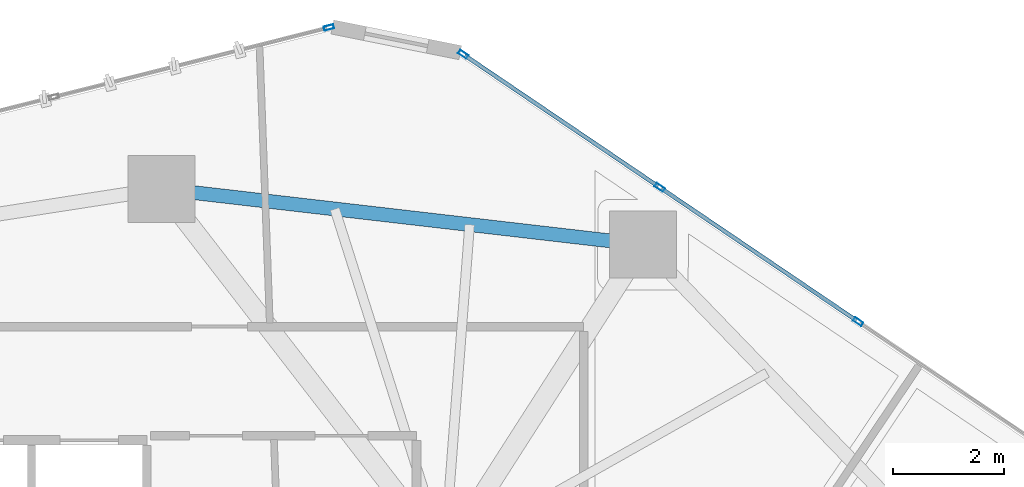
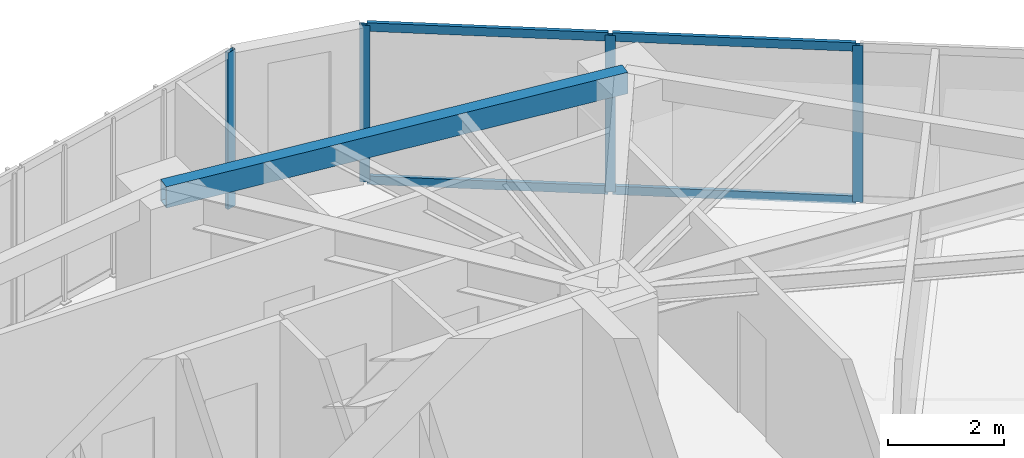
# One storey, part 14 of 20: 8 members, 1 beam, 2 elements without a shape of their own.
"""IFC4 building model written with IfcOpenShell, lengths in metres."""

import ifcopenshell
import ifcopenshell.guid

model = None  # the IFC model being written
_history = None  # IfcOwnerHistory: only IFC2X3 demands one
_inside = {}  # id of a spatial element -> (the spatial element, [elements in it])
_under = {}  # id of a project, library or spatial element -> (it, [spatial elements below it])
_declared = {}  # id of a project -> (the project, [libraries it declares])
_typed = {}  # id of a type object -> (the type object, [elements of that type])
_made_of = {}  # id of a material, layer set ... -> (it, [elements and type objects made of it])


def new_model(schema):
    """Start an empty IFC model of exactly this schema.

    Asked for "IFC4X3", IfcOpenShell would pick the latest addendum, in which some entities
    have other attributes; the version numbers below select the first issue.
    IFC2X3 requires an IfcOwnerHistory on every rooted entity: one is made here for all.
    """
    global model, _history
    if schema == "IFC4X3":
        model = ifcopenshell.file(schema_version=(4, 3, 0, 0))
    else:
        model = ifcopenshell.file(schema=schema)
    _inside.clear()
    _under.clear()
    _declared.clear()
    _typed.clear()
    _made_of.clear()
    _history = None
    if model.schema == "IFC2X3":
        org = make("IfcOrganization", Name="unknown")
        user = make(
            "IfcPersonAndOrganization",
            ThePerson=make("IfcPerson", FamilyName="unknown"),
            TheOrganization=org,
        )
        app = make(
            "IfcApplication",
            ApplicationDeveloper=org,
            Version="unknown",
            ApplicationFullName="unknown",
            ApplicationIdentifier="unknown",
        )
        _history = make(
            "IfcOwnerHistory",
            OwningUser=user,
            OwningApplication=app,
            ChangeAction="ADDED",
            CreationDate=0,
        )
    return model


def make(cls, **values):
    """One entity of the class cls with the attributes given. An attribute that is None is left unset."""
    return model.create_entity(
        cls, **{name: value for name, value in values.items() if value is not None}
    )


def rooted(cls, **values):
    """An entity with a GlobalId (a new one), such as an element, a storey or a relation."""
    return make(cls, GlobalId=ifcopenshell.guid.new(), OwnerHistory=_history, **values)


def si_unit(unit_type, name, prefix=None):
    """IfcSIUnit, for example si_unit("LENGTHUNIT", "METRE", prefix="MILLI")."""
    return make("IfcSIUnit", UnitType=unit_type, Prefix=prefix, Name=name)


def assignment(units):
    """IfcUnitAssignment: the units of a project."""
    return None if units is None else make("IfcUnitAssignment", Units=units)


def point(xyz):
    """IfcCartesianPoint."""
    return None if xyz is None else make("IfcCartesianPoint", Coordinates=xyz)


def direction(xyz):
    """IfcDirection."""
    return None if xyz is None else make("IfcDirection", DirectionRatios=xyz)


def frame(location, z_axis=None, x_axis=None):
    """IfcAxis2Placement3D, a coordinate frame: its origin and axes. An axis left out is left unset."""
    return make(
        "IfcAxis2Placement3D",
        Location=point(location),
        Axis=direction(z_axis),
        RefDirection=direction(x_axis),
    )


def frame_2d(location, x_axis=None):
    """IfcAxis2Placement2D, a coordinate frame in the plane: its origin and x axis."""
    return make(
        "IfcAxis2Placement2D", Location=point(location), RefDirection=direction(x_axis)
    )


def origin():
    """The frame at (0, 0, 0) with its axes left unset."""
    return frame((0.0, 0.0, 0.0))


def origin_2d():
    """The frame at (0, 0) in the plane with its x axis left unset."""
    return frame_2d((0.0, 0.0))


def place(relative_to, where):
    """IfcLocalPlacement: puts the frame where relative to a parent placement (None: the world)."""
    return make(
        "IfcLocalPlacement", PlacementRelTo=relative_to, RelativePlacement=where
    )


def context(
    kind, dimensions, precision=None, world=None, true_north=None, identifier=None
):
    """IfcGeometricRepresentationContext, for example the 3D "Model" context."""
    return make(
        "IfcGeometricRepresentationContext",
        ContextIdentifier=identifier,
        ContextType=kind,
        CoordinateSpaceDimension=dimensions,
        Precision=precision,
        WorldCoordinateSystem=world,
        TrueNorth=true_north,
    )


def subcontext(parent, identifier, kind, view, scale=None):
    """IfcGeometricRepresentationSubContext, for example "Body" below "Model"."""
    return make(
        "IfcGeometricRepresentationSubContext",
        ContextIdentifier=identifier,
        ContextType=kind,
        ParentContext=parent,
        TargetScale=scale,
        TargetView=view,
    )


def project(units=None, contexts=None):
    """IfcProject with its units and contexts."""
    return rooted(
        "IfcProject",
        Name="project",
        RepresentationContexts=contexts,
        UnitsInContext=assignment(units),
    )


def spatial(cls, under=None, at=None, **own):
    """A site, building, storey or space (cls), placed at a placement, below another one or the project."""
    s = rooted(cls, ObjectPlacement=at, **own)
    if under is not None:
        _under.setdefault(under.id(), (under, []))[1].append(s)
    return s


def profile(cls, at=None, kind="AREA", **sizes):
    """A parametric profile (cls). Its sizes go by their IFC names, for example OverallWidth=200.0."""
    return make(cls, ProfileType=kind, Position=at, **sizes)


def hollow_rectangle(**sizes):
    """IfcRectangleHollowProfileDef."""
    return profile("IfcRectangleHollowProfileDef", **sizes)


def extrude(swept, where, along, depth):
    """IfcExtrudedAreaSolid: the profile swept, set in the frame where, extruded along a direction by depth."""
    return make(
        "IfcExtrudedAreaSolid",
        SweptArea=swept,
        Position=where,
        ExtrudedDirection=direction(along),
        Depth=depth,
    )


def shape(context_of_items, identifier, shape_type, items):
    """IfcShapeRepresentation: the items that make up one representation, for example the "Body"."""
    return make(
        "IfcShapeRepresentation",
        ContextOfItems=context_of_items,
        RepresentationIdentifier=identifier,
        RepresentationType=shape_type,
        Items=items,
    )


def source(mapping_origin, context_of_items, identifier, shape_type, items):
    """IfcRepresentationMap: a shape defined once, which mapped items show again and again."""
    return make(
        "IfcRepresentationMap",
        MappingOrigin=mapping_origin,
        MappedRepresentation=shape(context_of_items, identifier, shape_type, items),
    )


def transform(
    local_origin,
    x_axis=None,
    y_axis=None,
    z_axis=None,
    scale=None,
    scale2=None,
    scale3=None,
    uniform=True,
):
    """IfcCartesianTransformationOperator3D, or its non-uniform kind. x_axis, y_axis, z_axis: its Axis1, 2, 3."""
    if uniform:
        return make(
            "IfcCartesianTransformationOperator3D",
            Axis1=direction(x_axis),
            Axis2=direction(y_axis),
            LocalOrigin=point(local_origin),
            Scale=scale,
            Axis3=direction(z_axis),
        )
    return make(
        "IfcCartesianTransformationOperator3DnonUniform",
        Axis1=direction(x_axis),
        Axis2=direction(y_axis),
        LocalOrigin=point(local_origin),
        Scale=scale,
        Axis3=direction(z_axis),
        Scale2=scale2,
        Scale3=scale3,
    )


def mapped(mapping_source, mapping_target):
    """IfcMappedItem: shows the shape of a source again, moved by a transform."""
    return make(
        "IfcMappedItem", MappingSource=mapping_source, MappingTarget=mapping_target
    )


def material(Name=None, Category=None):
    """IfcMaterial."""
    return make("IfcMaterial", Name=Name, Category=Category)


def layer(
    of_material, thickness, ventilated=None, Name=None, Category=None, Priority=None
):
    """IfcMaterialLayer: one layer of a wall or slab, of a material (None: an air gap)."""
    return make(
        "IfcMaterialLayer",
        Material=of_material,
        LayerThickness=thickness,
        IsVentilated=ventilated,
        Name=Name,
        Category=Category,
        Priority=Priority,
    )


def layer_set(layers, Name=None):
    """IfcMaterialLayerSet."""
    return make("IfcMaterialLayerSet", MaterialLayers=layers, LayerSetName=Name)


def material_profile(
    of_material, cross_section, Name=None, Category=None, Priority=None
):
    """IfcMaterialProfile: a cross section and its material."""
    return make(
        "IfcMaterialProfile",
        Name=Name,
        Material=of_material,
        Profile=cross_section,
        Priority=Priority,
        Category=Category,
    )


def profile_set(profiles, Name=None, composite=None):
    """IfcMaterialProfileSet."""
    return make(
        "IfcMaterialProfileSet",
        Name=Name,
        MaterialProfiles=profiles,
        CompositeProfile=composite,
    )


def made_of(thing, what):
    """Note that an element or type object is made of a material, layer set ...; save() writes the relation."""
    if what is not None:
        _made_of.setdefault(what.id(), (what, []))[1].append(thing)
    return thing


def type_object(cls, material=None, **own):
    """A type object (cls), such as IfcWallType, which elements share."""
    return made_of(rooted(cls, **own), material)


def type_shapes(of_type, sources):
    """Give a type object the sources (RepresentationMaps) that its elements show as mapped items."""
    of_type.RepresentationMaps = sources


def element(
    cls,
    number,
    at=None,
    inside=None,
    cuts=None,
    type_object=None,
    material=None,
    context=None,
    identifier="Body",
    shape_type=None,
    held_by="IfcProductDefinitionShape",
    body=None,
    shapes=None,
    **own,
):
    """One element of the class cls, such as IfcWall. Its Tag is "e" and its number.

    at: its placement. inside: the storey or other place that contains it. cuts: it is an
    opening in that element (IfcRelVoidsElement). A single representation is given by context,
    identifier, shape_type and body (its items); several are given by shapes. held_by: the class
    of the entity that holds the representations. save() writes the other relations.
    """
    e = rooted(cls, Tag="e%d" % number, ObjectPlacement=at, **own)
    if body is not None:
        shapes = [shape(context, identifier, shape_type, body)]
    if shapes is not None:
        e.Representation = make(held_by, Representations=shapes)
    if inside is not None:
        _inside.setdefault(inside.id(), (inside, []))[1].append(e)
    if cuts is not None:
        rooted(
            "IfcRelVoidsElement", RelatingBuildingElement=cuts, RelatedOpeningElement=e
        )
    if type_object is not None:
        _typed.setdefault(type_object.id(), (type_object, []))[1].append(e)
    return made_of(e, material)


def aggregate(whole, parts):
    """IfcRelAggregates: a whole, such as a stair, and the parts it consists of."""
    return rooted("IfcRelAggregates", RelatingObject=whole, RelatedObjects=parts)


def save(model, path):
    """Write the relations noted so far, then the file.

    IfcRelAggregates (storeys below a building ...), IfcRelContainedInSpatialStructure (elements
    in a storey), IfcRelDefinesByType, IfcRelAssociatesMaterial and IfcRelDeclares: one each for
    every whole, place, type object, material and project.
    """
    for whole, parts in _under.values():
        aggregate(whole, parts)
    for where, things in _inside.values():
        rooted(
            "IfcRelContainedInSpatialStructure",
            RelatedElements=things,
            RelatingStructure=where,
        )
    for kind, things in _typed.values():
        rooted("IfcRelDefinesByType", RelatedObjects=things, RelatingType=kind)
    for what, things in _made_of.values():
        rooted("IfcRelAssociatesMaterial", RelatedObjects=things, RelatingMaterial=what)
    for by, libraries in _declared.values():
        rooted("IfcRelDeclares", RelatingContext=by, RelatedDefinitions=libraries)
    model.write(path)


model = new_model("IFC4")

# Units and contexts
model_context = context("Model", 3, precision=1e-05, world=origin(), true_north=direction((0.0, 1.0)))
body_context = subcontext(model_context, "Body", "Model", "MODEL_VIEW")
ifc_project = project(units=[si_unit("LENGTHUNIT", "METRE"), si_unit("AREAUNIT", "SQUARE_METRE"), si_unit("VOLUMEUNIT", "CUBIC_METRE"), si_unit("PLANEANGLEUNIT", "RADIAN"), si_unit("MASSUNIT", "GRAM", prefix="KILO")], contexts=[model_context])

# Site, building, storey
site_placement = place(None, origin())
site = spatial("IfcSite", under=ifc_project, at=site_placement, CompositionType="ELEMENT")
building_placement = place(site_placement, origin())
building = spatial("IfcBuilding", under=site, at=building_placement, Name="Talar Marvaseh", CompositionType="ELEMENT")
storey_placement = place(building_placement, frame((0.0, 0.0, 132.60009765625)))
storey = spatial("IfcBuildingStorey", under=building, at=storey_placement, Name="L34", CompositionType="ELEMENT", Elevation=132.60009765625)

# Beam
ifc_material_1 = material(Name="Steel S355", Category="steel")
ifc_material_profile_1 = material_profile(ifc_material_1, hollow_rectangle(XDim=0.25, YDim=0.449951171875, WallThickness=0.01611328125, at=origin_2d()), Name="RHS450x250x16")
ifc_profile_set_1 = profile_set([ifc_material_profile_1], Name="Steel S355")
beam_type = type_object("IfcBeamType", Name="Zone 2 Perimeter Spandrel Beam RHS450x250x16", PredefinedType="SPANDREL", material=ifc_profile_set_1)
beam_placement = place(storey_placement, frame((28.221923828125, 43.471923828125, 3.0849609375), z_axis=(0.993361914569, -0.115030894474, 0.0), x_axis=(0.115030894474, 0.993361914569, 0.0)))
element("IfcBeam", 1, at=beam_placement, inside=storey, type_object=beam_type, Name="L34 Zone 2 Perimeter Spandrel Beam RHS450x250x16", PredefinedType="SPANDREL", context=body_context, shape_type="SweptSolid", body=[
    extrude(hollow_rectangle(XDim=0.25, YDim=0.449951171875, WallThickness=0.01611328125, at=origin_2d()), origin(), (0.0, 0.0, 1.0), 8.701904296875),
])

# Curtain wall, members
ifc_material_2 = material(Name="Architectural Aluminium", Category="aluminium")
ifc_layer = layer(ifc_material_2, 0.199951171875)
ifc_layer_set = layer_set([ifc_layer], Name="Architectural Aluminium")
curtain_wall_type = type_object("IfcCurtainWallType", Name="Unitised Acoustic Library Curtain Wall Z2", PredefinedType="NOTDEFINED", material=ifc_layer_set)
curtain_wall_1_placement = place(storey_placement, origin())
curtain_wall_1 = element("IfcCurtainWall", 2, at=curtain_wall_1_placement, inside=storey, type_object=curtain_wall_type, Name="L34 Unitised Acoustic Library Curtain Wall Z2", PredefinedType="NOTDEFINED")
ifc_material_profile_2 = material_profile(ifc_material_2, hollow_rectangle(XDim=0.074951171875, YDim=0.179931640625, WallThickness=0.0048828125, at=origin_2d()), Name="RHS180x75x5")
ifc_profile_set_2 = profile_set([ifc_material_profile_2], Name="Architectural Aluminium")
member_type_1 = type_object("IfcMemberType", Name="Unitised Curtain Wall Transom RHS180x75x5", PredefinedType="USERDEFINED", material=ifc_profile_set_2)
shared_shape_1 = source(origin(), body_context, "Body", "SweptSolid", [
    extrude(hollow_rectangle(XDim=0.074951171875, YDim=0.179931640625, WallThickness=0.0048828125, at=origin_2d()), origin(), (0.0, 0.0, 1.0), 4.22314453125),
])
member_1_placement = place(storey_placement, frame((37.197509765625, 43.476806640625, 0.037353515625), z_axis=(0.828089240921, -0.560596297767, 0.0), x_axis=(0.560596297767, 0.828089240921, 0.0)))
member_1 = element("IfcMember", 3, at=member_1_placement, type_object=member_type_1, Name="CW-Z2 transom 2.1", ObjectType="TRANSOM", PredefinedType="USERDEFINED", context=body_context, shape_type="MappedRepresentation", body=[
    mapped(shared_shape_1, transform((0.0, 0.0, 0.0), x_axis=(1.0, 0.0, 0.0), y_axis=(0.0, 1.0, 0.0), z_axis=(0.0, 0.0, 1.0), scale=1.0)),
])
member_2_placement = place(storey_placement, frame((37.197509765625, 43.476806640625, 3.2724609375), z_axis=(0.828089240921, -0.560596297767, 0.0), x_axis=(0.560596297767, 0.828089240921, 0.0)))
member_2 = element("IfcMember", 4, at=member_2_placement, type_object=member_type_1, Name="CW-Z2 transom 2.2", ObjectType="TRANSOM", PredefinedType="USERDEFINED", context=body_context, shape_type="MappedRepresentation", body=[
    mapped(shared_shape_1, transform((0.0, 0.0, 0.0), x_axis=(1.0, 0.0, 0.0), y_axis=(0.0, 1.0, 0.0), z_axis=(0.0, 0.0, 1.0), scale=1.0)),
])
shared_shape_2 = source(origin(), body_context, "Body", "SweptSolid", [
    extrude(hollow_rectangle(XDim=0.074951171875, YDim=0.179931640625, WallThickness=0.0048828125, at=origin_2d()), origin(), (0.0, 0.0, 1.0), 4.185546875),
])
type_shapes(member_type_1, [shared_shape_1, shared_shape_2])
member_3_placement = place(storey_placement, frame((33.66943359375, 45.864990234375, 0.037353515625), z_axis=(0.82811697047, -0.560555334663, 0.0), x_axis=(0.560555334663, 0.82811697047, 0.0)))
member_3 = element("IfcMember", 5, at=member_3_placement, type_object=member_type_1, Name="CW-Z2 transom 1.1", ObjectType="TRANSOM", PredefinedType="USERDEFINED", context=body_context, shape_type="MappedRepresentation", body=[
    mapped(shared_shape_2, transform((0.0, 0.0, 0.0), x_axis=(1.0, 0.0, 0.0), y_axis=(0.0, 1.0, 0.0), z_axis=(0.0, 0.0, 1.0), scale=1.0)),
])
member_4_placement = place(storey_placement, frame((33.66943359375, 45.864990234375, 3.2724609375), z_axis=(0.82811697047, -0.560555334663, 0.0), x_axis=(0.560555334663, 0.82811697047, 0.0)))
member_4 = element("IfcMember", 6, at=member_4_placement, type_object=member_type_1, Name="CW-Z2 transom 1.2", ObjectType="TRANSOM", PredefinedType="USERDEFINED", context=body_context, shape_type="MappedRepresentation", body=[
    mapped(shared_shape_2, transform((0.0, 0.0, 0.0), x_axis=(1.0, 0.0, 0.0), y_axis=(0.0, 1.0, 0.0), z_axis=(0.0, 0.0, 1.0), scale=1.0)),
])

# Curtain wall, member
curtain_wall_2_placement = place(storey_placement, origin())
curtain_wall_2 = element("IfcCurtainWall", 7, at=curtain_wall_2_placement, inside=storey, type_object=curtain_wall_type, Name="L34 Unitised Acoustic Library Curtain Wall Z2", PredefinedType="NOTDEFINED")
ifc_material_profile_3 = material_profile(ifc_material_2, hollow_rectangle(XDim=0.074951171875, YDim=0.179931640625, WallThickness=0.0048828125, at=origin_2d()), Name="RHS180x75x5")
ifc_profile_set_3 = profile_set([ifc_material_profile_3], Name="Architectural Aluminium")
member_type_2 = type_object("IfcMemberType", Name="Unitised Curtain Wall Standard Mullion RHS180x75x5", PredefinedType="MULLION", material=ifc_profile_set_3)
shared_shape_3 = source(origin(), body_context, "Body", "SweptSolid", [
    extrude(hollow_rectangle(XDim=0.074951171875, YDim=0.179931640625, WallThickness=0.0048828125, at=origin_2d()), origin(), (0.0, 0.0, 1.0), 3.309814453125),
])
type_shapes(member_type_2, [shared_shape_3])
member_5_placement = place(storey_placement, frame((31.22802734375, 46.3681640625, 0.0), z_axis=(0.0, 0.0, 1.0), x_axis=(-0.245007003451, 0.969521308822, 0.0)))
member_5 = element("IfcMember", 8, at=member_5_placement, type_object=member_type_2, Name="CW-Z2 mullion 4", PredefinedType="MULLION", context=body_context, shape_type="MappedRepresentation", body=[
    mapped(shared_shape_3, transform((0.0, 0.0, 0.0), x_axis=(1.0, 0.0, 0.0), y_axis=(0.0, 1.0, 0.0), z_axis=(0.0, 0.0, 1.0), scale=1.0)),
])
aggregate(curtain_wall_2, [member_5])

# Member
member_6_placement = place(storey_placement, frame((33.638427734375, 45.885986328125, 0.0), z_axis=(0.0, 0.0, 1.0), x_axis=(0.560583165439, 0.828098131037, 0.0)))
member_6 = element("IfcMember", 9, at=member_6_placement, type_object=member_type_2, Name="CW-Z2 mullion 1", PredefinedType="MULLION", context=body_context, shape_type="MappedRepresentation", body=[
    mapped(shared_shape_3, transform((0.0, 0.0, 0.0), x_axis=(1.0, 0.0, 0.0), y_axis=(0.0, 1.0, 0.0), z_axis=(0.0, 0.0, 1.0), scale=1.0)),
])

member_7_placement = place(storey_placement, frame((37.16650390625, 43.497802734375, 0.0), z_axis=(0.0, 0.0, 1.0), x_axis=(0.560583165439, 0.828098131037, 0.0)))
member_7 = element("IfcMember", 10, at=member_7_placement, type_object=member_type_2, Name="CW-Z2 mullion 2", PredefinedType="MULLION", context=body_context, shape_type="MappedRepresentation", body=[
    mapped(shared_shape_3, transform((0.0, 0.0, 0.0), x_axis=(1.0, 0.0, 0.0), y_axis=(0.0, 1.0, 0.0), z_axis=(0.0, 0.0, 1.0), scale=1.0)),
])

member_8_placement = place(storey_placement, frame((40.7255859375, 41.08837890625, 0.0), z_axis=(0.0, 0.0, 1.0), x_axis=(0.560583165439, 0.828098131037, 0.0)))
member_8 = element("IfcMember", 11, at=member_8_placement, type_object=member_type_2, Name="CW-Z2 mullion 3", PredefinedType="MULLION", context=body_context, shape_type="MappedRepresentation", body=[
    mapped(shared_shape_3, transform((0.0, 0.0, 0.0), x_axis=(1.0, 0.0, 0.0), y_axis=(0.0, 1.0, 0.0), z_axis=(0.0, 0.0, 1.0), scale=1.0)),
])

aggregate(curtain_wall_1, [member_6, member_7, member_8, member_3, member_4, member_1, member_2])

save(model, "model.ifc")
